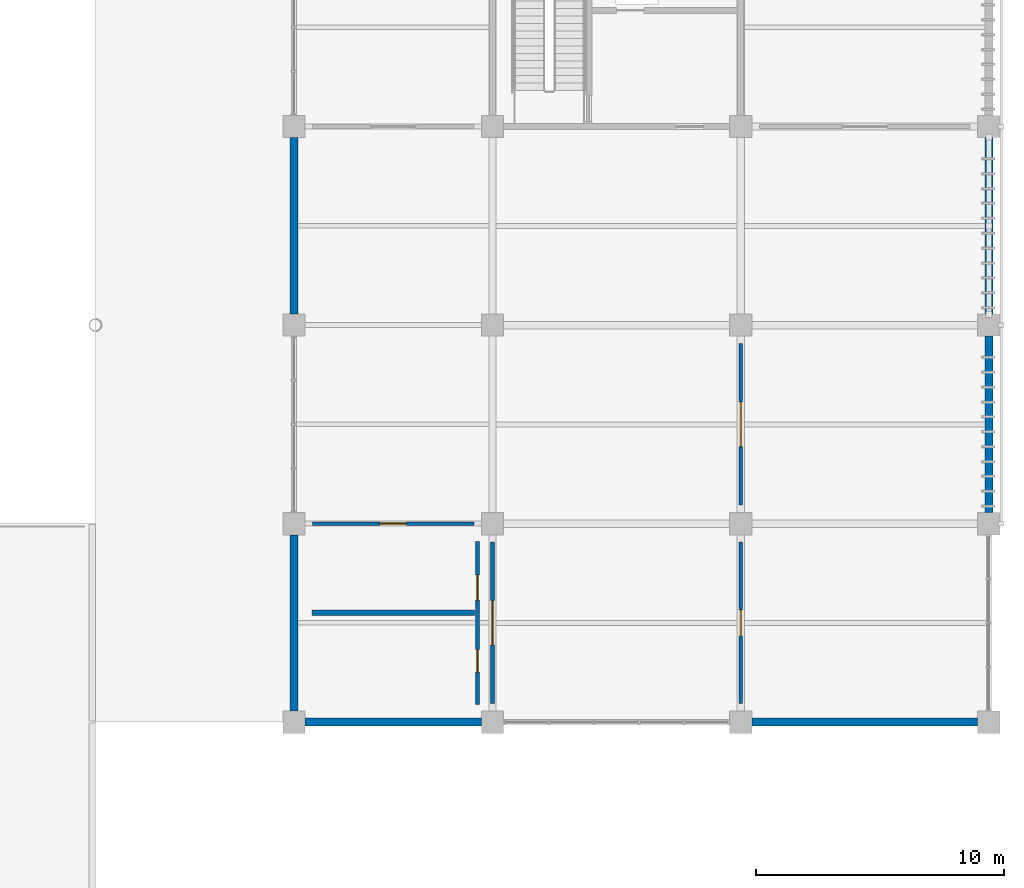
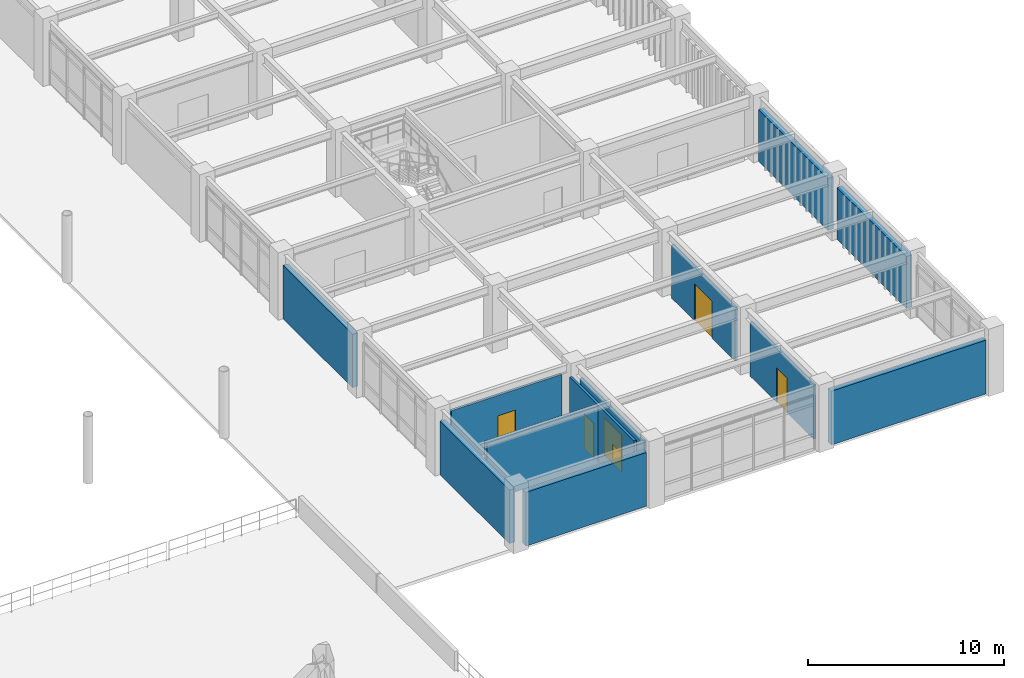
# One storey, part 91 of 118: 12 walls, 6 doors, 6 openings.
"""IFC4 building model written with IfcOpenShell, lengths in metres."""

from ifc_helpers import new_model, si_unit, direction, frame, frame_2d, origin, place, context, subcontext, project, spatial, rectangle, extrude, material, layer, layer_set, type_object, element, fill, save


model = new_model("IFC4")

# Units and contexts
model_context = context("Model", 3, precision=1e-05, world=origin(), true_north=direction((0.0, 1.0)))
body_context = subcontext(model_context, "Body", "Model", "MODEL_VIEW")
ifc_project = project(units=[si_unit("LENGTHUNIT", "METRE"), si_unit("AREAUNIT", "SQUARE_METRE"), si_unit("VOLUMEUNIT", "CUBIC_METRE"), si_unit("PLANEANGLEUNIT", "RADIAN"), si_unit("MASSUNIT", "GRAM", prefix="KILO")], contexts=[model_context])

# Site, building, storey
site_placement = place(None, origin())
site = spatial("IfcSite", under=ifc_project, at=site_placement, CompositionType="ELEMENT")
building_placement = place(site_placement, origin())
building = spatial("IfcBuilding", under=site, at=building_placement, Name="Haebicheon Civic Stadium", CompositionType="ELEMENT")
storey_placement = place(building_placement, frame((0.0, 0.0, 14.39990234375)))
storey = spatial("IfcBuildingStorey", under=building, at=storey_placement, Name="L04", CompositionType="ELEMENT", Elevation=14.39990234375)

# Walls
ifc_material_1 = material(Name="Precast concrete C40/50", Category="concrete")
ifc_layer_1 = layer(ifc_material_1, 0.320068359375, Name="Precast concrete C40/50")
ifc_layer_set_1 = layer_set([ifc_layer_1], Name="Precast concrete C40/50")
wall_type_1 = type_object("IfcWallType", Name="EW-BM-320", PredefinedType="SOLIDWALL", material=ifc_layer_set_1)
wall_1_placement = place(storey_placement, frame((208.449951171875, 40.0, 0.0), z_axis=(0.0, 0.0, 1.0), x_axis=(1.0, 0.0, 0.0)))
element("IfcWall", 1, at=wall_1_placement, inside=storey, type_object=wall_type_1, material=ifc_layer_set_1, Name="L04 board-marked concrete facade wall 26-05-S", PredefinedType="SOLIDWALL", context=body_context, shape_type="SweptSolid", body=[
    extrude(rectangle(XDim=7.10009765625, YDim=0.320068359375, at=frame_2d((3.550048828125, 0.0))), origin(), (0.0, 0.0, 1.0), 3.35009765625),
])
for number, where, z_axis, x_axis, name in (
    (2, (208.0, 40.449951171875, 0.0), (0.0, 0.0, 1.0), (0.0, 1.0, 0.0), "L04 board-marked concrete facade wall 26-05-W"),
    (3, (208.0, 56.449951171875, 0.0), (0.0, 0.0, 1.0), (0.0, 1.0, 0.0), "L04 board-marked concrete facade wall 26-07-W"),
):
    element("IfcWall", number, at=place(storey_placement, frame(where, z_axis=z_axis, x_axis=x_axis)), inside=storey, type_object=wall_type_1, material=ifc_layer_set_1, Name=name, PredefinedType="SOLIDWALL", context=body_context, shape_type="SweptSolid", body=[
        extrude(rectangle(XDim=7.10009765625, YDim=0.320068359375, at=frame_2d((3.550048828125, 0.0))), origin(), (0.0, 0.0, 1.0), 3.330078125),
    ])
wall_2_placement = place(storey_placement, frame((226.449951171875, 40.0, 0.0), z_axis=(0.0, 0.0, 1.0), x_axis=(1.0, 0.0, 0.0)))
element("IfcWall", 4, at=wall_2_placement, inside=storey, type_object=wall_type_1, material=ifc_layer_set_1, Name="L04 board-marked concrete facade wall 28-05-S", PredefinedType="SOLIDWALL", context=body_context, shape_type="SweptSolid", body=[
    extrude(rectangle(XDim=9.10009765625, YDim=0.320068359375, at=frame_2d((4.550048828125, 0.0))), origin(), (0.0, 0.0, 1.0), 3.35009765625),
])
for number, where, z_axis, x_axis, name in (
    (5, (236.0, 48.449951171875, 0.0), (0.0, 0.0, 1.0), (0.0, 1.0, 0.0), "L04 board-marked concrete facade wall 29-06-E"),
    (6, (236.0, 56.449951171875, 0.0), (0.0, 0.0, 1.0), (0.0, 1.0, 0.0), "L04 board-marked concrete facade wall 29-07-E"),
):
    element("IfcWall", number, at=place(storey_placement, frame(where, z_axis=z_axis, x_axis=x_axis)), inside=storey, type_object=wall_type_1, material=ifc_layer_set_1, Name=name, PredefinedType="SOLIDWALL", context=body_context, shape_type="SweptSolid", body=[
        extrude(rectangle(XDim=7.10009765625, YDim=0.320068359375, at=frame_2d((3.550048828125, 0.0))), origin(), (0.0, 0.0, 1.0), 3.22998046875),
    ])
ifc_material_2 = material(Name="Concrete C35/45", Category="concrete")
ifc_layer_2 = layer(ifc_material_2, 0.219970703125, Name="Concrete C35/45")
ifc_layer_set_2 = layer_set([ifc_layer_2], Name="Concrete C35/45")
wall_type_2 = type_object("IfcWallType", Name="IW-PLB-220", PredefinedType="PLUMBINGWALL", material=ifc_layer_set_2)
wall_3_placement = place(storey_placement, frame((208.719970703125, 44.39990234375, 0.0), z_axis=(0.0, 0.0, 1.0), x_axis=(1.0, 0.0, 0.0)))
element("IfcWall", 7, at=wall_3_placement, inside=storey, type_object=wall_type_2, material=ifc_layer_set_2, Name="L04 sanitary plumbing chase wall 15", PredefinedType="PLUMBINGWALL", context=body_context, shape_type="SweptSolid", body=[
    extrude(rectangle(XDim=6.56005859375, YDim=0.219970703125, at=frame_2d((3.280029296875, 0.0))), origin(), (0.0, 0.0, 1.0), 3.6201171875),
])

# Wall, openings, doors
ifc_material_3 = material(Name="Gypsum plasterboard on steel studs", Category="gypsum")
ifc_layer_3 = layer(ifc_material_3, 0.14990234375, Name="Gypsum plasterboard on steel studs")
ifc_layer_set_3 = layer_set([ifc_layer_3], Name="Gypsum plasterboard on steel studs")
wall_type_3 = type_object("IfcWallType", Name="IW-PRT-150", PredefinedType="PARTITIONING", material=ifc_layer_set_3)
wall_4_placement = place(storey_placement, frame((215.39990234375, 40.719970703125, 0.0), z_axis=(0.0, 0.0, 1.0), x_axis=(0.0, 1.0, 0.0)))
wall_4 = element("IfcWall", 8, at=wall_4_placement, inside=storey, type_object=wall_type_3, material=ifc_layer_set_3, Name="L04 sanitary enclosure front wall 15", PredefinedType="PARTITIONING", context=body_context, shape_type="SweptSolid", body=[
    extrude(rectangle(XDim=6.56005859375, YDim=0.14990234375, at=frame_2d((3.280029296875, 0.0))), origin(), (0.0, 0.0, 1.0), 3.6201171875),
])
opening_1_placement = place(wall_4_placement, frame((1.300048828125, 0.0, 0.0)))
opening_1 = element("IfcOpeningElement", 9, at=opening_1_placement, cuts=wall_4, Name="Opening D-L04-WC-15A", PredefinedType="OPENING", context=body_context, shape_type="SweptSolid", body=[
    extrude(rectangle(XDim=0.89990234375, YDim=2.10009765625, at=frame_2d((0.449951171875, 1.050048828125))), frame((0.0, 0.0849609375, 0.0), z_axis=(0.0, -1.0, 0.0), x_axis=(1.0, 0.0, 0.0)), (0.0, 0.0, 1.0), 0.169921875),
])
opening_2_placement = place(wall_4_placement, frame((4.199951171875, 0.0, 0.0)))
opening_2 = element("IfcOpeningElement", 10, at=opening_2_placement, cuts=wall_4, Name="Opening D-L04-AWC-15B", PredefinedType="OPENING", context=body_context, shape_type="SweptSolid", body=[
    extrude(rectangle(XDim=1.0, YDim=2.14990234375, at=frame_2d((0.5, 1.074951171875))), frame((0.0, 0.0849609375, 0.0), z_axis=(0.0, -1.0, 0.0), x_axis=(1.0, 0.0, 0.0)), (0.0, 0.0, 1.0), 0.169921875),
])
ifc_material_4 = material(Name="Anodised aluminium 6063-T6", Category="aluminium")
door_type_1 = type_object("IfcDoorType", Name="ID-AWC-1000", OperationType="NOTDEFINED", PredefinedType="DOOR", material=ifc_material_4)
door_1_placement = place(opening_2_placement, origin())
door_1 = element("IfcDoor", 11, at=door_1_placement, inside=storey, type_object=door_type_1, material=ifc_material_4, Name="L04 accessible WC door 15", OperationType="SINGLE_SWING_LEFT", OverallHeight=2.14990234375, OverallWidth=1.0, PredefinedType="DOOR", context=body_context, shape_type="SweptSolid", body=[
    extrude(rectangle(XDim=1.0, YDim=2.14990234375, at=frame_2d((0.5, 1.074951171875))), frame((0.0, 0.02490234375, 0.0), z_axis=(0.0, -1.0, 0.0), x_axis=(1.0, 0.0, 0.0)), (0.0, 0.0, 1.0), 0.050048828125),
])
fill(opening_2, door_1)
ifc_material_5 = material(Name="Anodised aluminium 6063-T6", Category="aluminium")
door_type_2 = type_object("IfcDoorType", Name="ID-WC-0900", OperationType="NOTDEFINED", PredefinedType="DOOR", material=ifc_material_5)
door_2_placement = place(opening_1_placement, origin())
door_2 = element("IfcDoor", 12, at=door_2_placement, inside=storey, type_object=door_type_2, material=ifc_material_5, Name="L04 public restroom door 15", OperationType="SINGLE_SWING_RIGHT", OverallHeight=2.10009765625, OverallWidth=0.89990234375, PredefinedType="DOOR", context=body_context, shape_type="SweptSolid", body=[
    extrude(rectangle(XDim=0.89990234375, YDim=2.10009765625, at=frame_2d((0.449951171875, 1.050048828125))), frame((0.0, 0.02490234375, 0.0), z_axis=(0.0, -1.0, 0.0), x_axis=(1.0, 0.0, 0.0)), (0.0, 0.0, 1.0), 0.050048828125),
])
fill(opening_1, door_2)

# Wall, opening, door
wall_5_placement = place(storey_placement, frame((216.0, 40.75, 0.0), z_axis=(0.0, 0.0, 1.0), x_axis=(0.0, 1.0, 0.0)))
wall_5 = element("IfcWall", 13, at=wall_5_placement, inside=storey, type_object=wall_type_3, material=ifc_layer_set_3, Name="L04 Warm-Up Field Viewing Lounge partition wall", PredefinedType="PARTITIONING", context=body_context, shape_type="SweptSolid", body=[
    extrude(rectangle(XDim=6.5, YDim=0.14990234375, at=frame_2d((3.25, 0.0))), origin(), (0.0, 0.0, 1.0), 3.3701171875),
])
opening_3_placement = place(wall_5_placement, frame((2.35009765625, 0.0, 0.0)))
opening_3 = element("IfcOpeningElement", 14, at=opening_3_placement, cuts=wall_5, Name="Opening D-L04-397", PredefinedType="OPENING", context=body_context, shape_type="SweptSolid", body=[
    extrude(rectangle(XDim=1.800048828125, YDim=2.300048828125, at=frame_2d((0.89990234375, 1.14990234375))), frame((0.0, 0.0849609375, 0.0), z_axis=(0.0, -1.0, 0.0), x_axis=(1.0, 0.0, 0.0)), (0.0, 0.0, 1.0), 0.169921875),
])
ifc_material_6 = material(Name="Galvanised painted steel SM355", Category="steel")
door_type_3 = type_object("IfcDoorType", Name="ID-DBL-1800", OperationType="NOTDEFINED", PredefinedType="DOOR", material=ifc_material_6)
door_3_placement = place(opening_3_placement, origin())
door_3 = element("IfcDoor", 15, at=door_3_placement, inside=storey, type_object=door_type_3, material=ifc_material_6, Name="L04 Warm-Up Field Viewing Lounge entrance door D-L04-397", OperationType="DOUBLE_SWING_LEFT", OverallHeight=2.300048828125, OverallWidth=1.800048828125, PredefinedType="DOOR", context=body_context, shape_type="SweptSolid", body=[
    extrude(rectangle(XDim=1.800048828125, YDim=2.300048828125, at=frame_2d((0.89990234375, 1.14990234375))), frame((0.0, 0.02490234375, 0.0), z_axis=(0.0, -1.0, 0.0), x_axis=(1.0, 0.0, 0.0)), (0.0, 0.0, 1.0), 0.050048828125),
])
fill(opening_3, door_3)

wall_6_placement = place(storey_placement, frame((208.75, 48.0, 0.0), z_axis=(0.0, 0.0, 1.0), x_axis=(1.0, 0.0, 0.0)))
wall_6 = element("IfcWall", 16, at=wall_6_placement, inside=storey, type_object=wall_type_3, material=ifc_layer_set_3, Name="L04 Community Club Suite partition wall", PredefinedType="PARTITIONING", context=body_context, shape_type="SweptSolid", body=[
    extrude(rectangle(XDim=6.5, YDim=0.14990234375, at=frame_2d((3.25, 0.0))), origin(), (0.0, 0.0, 1.0), 3.43017578125),
])
opening_4_placement = place(wall_6_placement, frame((2.72509765625, 0.0, 0.0)))
opening_4 = element("IfcOpeningElement", 17, at=opening_4_placement, cuts=wall_6, Name="Opening D-L04-398", PredefinedType="OPENING", context=body_context, shape_type="SweptSolid", body=[
    extrude(rectangle(XDim=1.050048828125, YDim=2.14990234375, at=frame_2d((0.52490234375, 1.074951171875))), frame((0.0, 0.0849609375, 0.0), z_axis=(0.0, -1.0, 0.0), x_axis=(1.0, 0.0, 0.0)), (0.0, 0.0, 1.0), 0.169921875),
])
ifc_material_7 = material(Name="Engineered hardwood timber", Category="wood")
door_type_4 = type_object("IfcDoorType", Name="ID-RM-1050", OperationType="NOTDEFINED", PredefinedType="DOOR", material=ifc_material_7)
door_4_placement = place(opening_4_placement, origin())
door_4 = element("IfcDoor", 18, at=door_4_placement, inside=storey, type_object=door_type_4, material=ifc_material_7, Name="L04 Community Club Suite entrance door D-L04-398", OperationType="SINGLE_SWING_RIGHT", OverallHeight=2.14990234375, OverallWidth=1.050048828125, PredefinedType="DOOR", context=body_context, shape_type="SweptSolid", body=[
    extrude(rectangle(XDim=1.050048828125, YDim=2.14990234375, at=frame_2d((0.52490234375, 1.074951171875))), frame((0.0, 0.02490234375, 0.0), z_axis=(0.0, -1.0, 0.0), x_axis=(1.0, 0.0, 0.0)), (0.0, 0.0, 1.0), 0.050048828125),
])
fill(opening_4, door_4)

wall_7_placement = place(storey_placement, frame((226.0, 40.75, 0.0), z_axis=(0.0, 0.0, 1.0), x_axis=(0.0, 1.0, 0.0)))
wall_7 = element("IfcWall", 19, at=wall_7_placement, inside=storey, type_object=wall_type_3, material=ifc_layer_set_3, Name="L04 Community Club Suite partition wall", PredefinedType="PARTITIONING", context=body_context, shape_type="SweptSolid", body=[
    extrude(rectangle(XDim=6.5, YDim=0.14990234375, at=frame_2d((3.25, 0.0))), origin(), (0.0, 0.0, 1.0), 3.3701171875),
])
opening_5_placement = place(wall_7_placement, frame((2.72509765625, 0.0, 0.0)))
opening_5 = element("IfcOpeningElement", 20, at=opening_5_placement, cuts=wall_7, Name="Opening D-L04-404", PredefinedType="OPENING", context=body_context, shape_type="SweptSolid", body=[
    extrude(rectangle(XDim=1.050048828125, YDim=2.14990234375, at=frame_2d((0.52490234375, 1.074951171875))), frame((0.0, 0.0849609375, 0.0), z_axis=(0.0, -1.0, 0.0), x_axis=(1.0, 0.0, 0.0)), (0.0, 0.0, 1.0), 0.169921875),
])
door_5_placement = place(opening_5_placement, origin())
door_5 = element("IfcDoor", 21, at=door_5_placement, inside=storey, type_object=door_type_4, material=ifc_material_7, Name="L04 Community Club Suite entrance door D-L04-404", OperationType="SINGLE_SWING_RIGHT", OverallHeight=2.14990234375, OverallWidth=1.050048828125, PredefinedType="DOOR", context=body_context, shape_type="SweptSolid", body=[
    extrude(rectangle(XDim=1.050048828125, YDim=2.14990234375, at=frame_2d((0.52490234375, 1.074951171875))), frame((0.0, 0.02490234375, 0.0), z_axis=(0.0, -1.0, 0.0), x_axis=(1.0, 0.0, 0.0)), (0.0, 0.0, 1.0), 0.050048828125),
])
fill(opening_5, door_5)

wall_8_placement = place(storey_placement, frame((226.0, 48.75, 0.0), z_axis=(0.0, 0.0, 1.0), x_axis=(0.0, 1.0, 0.0)))
wall_8 = element("IfcWall", 22, at=wall_8_placement, inside=storey, type_object=wall_type_3, material=ifc_layer_set_3, Name="L04 Youth Academy Study Hall partition wall", PredefinedType="PARTITIONING", context=body_context, shape_type="SweptSolid", body=[
    extrude(rectangle(XDim=6.5, YDim=0.14990234375, at=frame_2d((3.25, 0.0))), origin(), (0.0, 0.0, 1.0), 3.330078125),
])
opening_6_placement = place(wall_8_placement, frame((2.35009765625, 0.0, 0.0)))
opening_6 = element("IfcOpeningElement", 23, at=opening_6_placement, cuts=wall_8, Name="Opening D-L04-405", PredefinedType="OPENING", context=body_context, shape_type="SweptSolid", body=[
    extrude(rectangle(XDim=1.800048828125, YDim=2.300048828125, at=frame_2d((0.89990234375, 1.14990234375))), frame((0.0, 0.0849609375, 0.0), z_axis=(0.0, -1.0, 0.0), x_axis=(1.0, 0.0, 0.0)), (0.0, 0.0, 1.0), 0.169921875),
])
door_6_placement = place(opening_6_placement, origin())
door_6 = element("IfcDoor", 24, at=door_6_placement, inside=storey, type_object=door_type_3, material=ifc_material_6, Name="L04 Youth Academy Study Hall entrance door D-L04-405", OperationType="DOUBLE_SWING_LEFT", OverallHeight=2.300048828125, OverallWidth=1.800048828125, PredefinedType="DOOR", context=body_context, shape_type="SweptSolid", body=[
    extrude(rectangle(XDim=1.800048828125, YDim=2.300048828125, at=frame_2d((0.89990234375, 1.14990234375))), frame((0.0, 0.02490234375, 0.0), z_axis=(0.0, -1.0, 0.0), x_axis=(1.0, 0.0, 0.0)), (0.0, 0.0, 1.0), 0.050048828125),
])
fill(opening_6, door_6)

save(model, "model.ifc")
